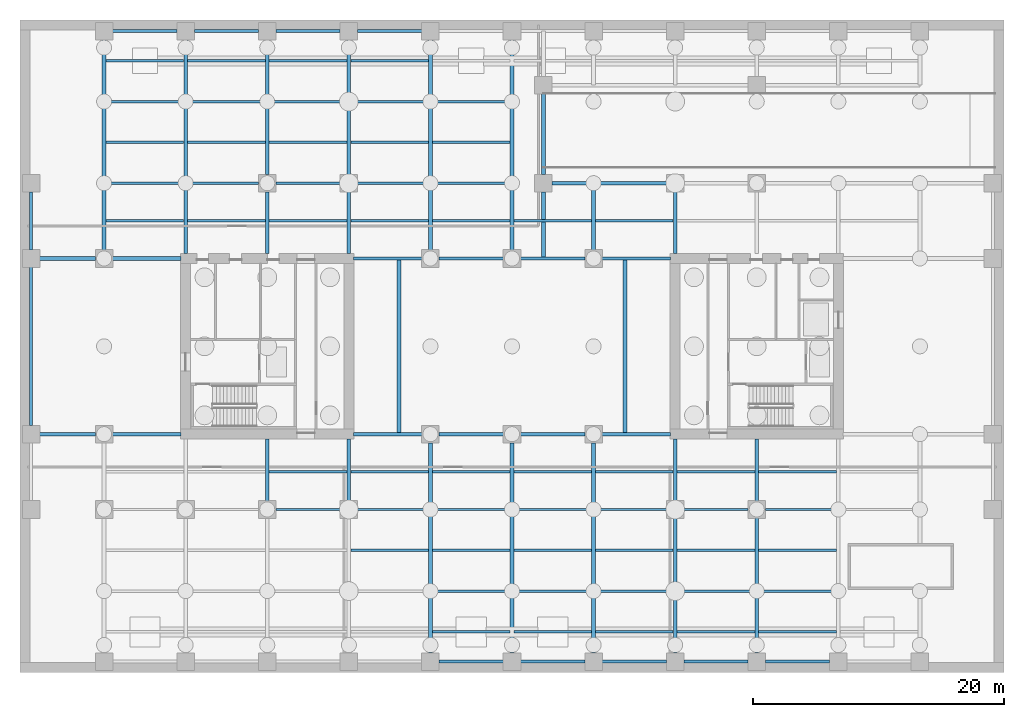
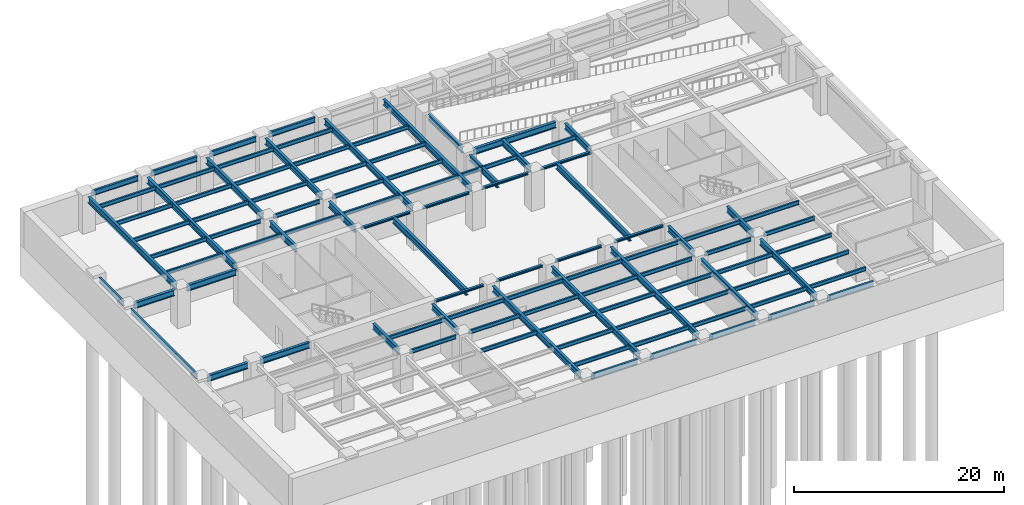
# One storey, part 2 of 11: 103 beams.
"""IFC4 building model written with IfcOpenShell, lengths in metres."""

from ifc_helpers import new_model, si_unit, direction, frame, origin, origin_2d, place, context, subcontext, project, spatial, i_section, extrude, material, material_profile, profile_set, type_object, element, save


model = new_model("IFC4")

# Units and contexts
model_context = context("Model", 3, precision=1e-05, world=origin(), true_north=direction((0.0, 1.0)))
body_context = subcontext(model_context, "Body", "Model", "MODEL_VIEW")
ifc_project = project(units=[si_unit("LENGTHUNIT", "METRE"), si_unit("AREAUNIT", "SQUARE_METRE"), si_unit("VOLUMEUNIT", "CUBIC_METRE"), si_unit("PLANEANGLEUNIT", "RADIAN"), si_unit("MASSUNIT", "GRAM", prefix="KILO")], contexts=[model_context])

# Site, building, storey
site_placement = place(None, origin())
site = spatial("IfcSite", under=ifc_project, at=site_placement, CompositionType="ELEMENT")
building_placement = place(site_placement, origin())
building = spatial("IfcBuilding", under=site, at=building_placement, Name="Putna Gate Headquarters", CompositionType="ELEMENT")
storey_placement = place(building_placement, frame((0.0, 0.0, -13.5)))
storey = spatial("IfcBuildingStorey", under=building, at=storey_placement, Name="B03", CompositionType="ELEMENT", Elevation=-13.5)

# Beams
ifc_material = material(Name="Steel S355J2", Category="steel")
ifc_material_profile_1 = material_profile(ifc_material, i_section(OverallWidth=0.260009765625, OverallDepth=0.260009765625, WebThickness=0.010009765625, FlangeThickness=0.017578125, at=origin_2d()), Name="Steel S355J2")
ifc_profile_set_1 = profile_set([ifc_material_profile_1], Name="Steel S355J2")
beam_type_1 = type_object("IfcBeamType", Name="BM-ATRIUM-HEB260", PredefinedType="BEAM", material=ifc_profile_set_1)
beam_1_placement = place(storey_placement, frame((26.385009765625, 19.0, 4.070068359375), z_axis=(1.0, 0.0, 0.0), x_axis=(0.0, 1.0, 0.0)))
element("IfcBeam", 1, at=beam_1_placement, inside=storey, type_object=beam_type_1, Name="B03 Atrium Edge Beam AS1", PredefinedType="BEAM", context=body_context, shape_type="SweptSolid", body=[
    extrude(i_section(OverallWidth=0.260009765625, OverallDepth=0.260009765625, WebThickness=0.010009765625, FlangeThickness=0.017578125, at=origin_2d()), origin(), (0.0, 0.0, 1.0), 5.427001953125),
])
for number, where, z_axis, x_axis, name in (
    (2, (33.18798828125, 19.0, 4.070068359375), (1.0, 0.0, 0.0), (0.0, 1.0, 0.0), "B03 Atrium Edge Beam AS2"),
    (3, (39.68798828125, 19.0, 4.070068359375), (1.0, 0.0, 0.0), (0.0, 1.0, 0.0), "B03 Atrium Edge Beam AS3"),
):
    element("IfcBeam", number, at=place(storey_placement, frame(where, z_axis=z_axis, x_axis=x_axis)), inside=storey, type_object=beam_type_1, Name=name, PredefinedType="BEAM", context=body_context, shape_type="SweptSolid", body=[
        extrude(i_section(OverallWidth=0.260009765625, OverallDepth=0.260009765625, WebThickness=0.010009765625, FlangeThickness=0.017578125, at=origin_2d()), origin(), (0.0, 0.0, 1.0), 5.1240234375),
    ])
for number, where, z_axis, x_axis, name in (
    (4, (46.18798828125, 19.0, 4.070068359375), (1.0, 0.0, 0.0), (0.0, 1.0, 0.0), "B03 Atrium Edge Beam AS4"),
    (5, (26.385009765625, 33.0, 4.070068359375), (1.0, 0.0, 0.0), (0.0, 1.0, 0.0), "B03 Atrium Edge Beam AN1"),
):
    element("IfcBeam", number, at=place(storey_placement, frame(where, z_axis=z_axis, x_axis=x_axis)), inside=storey, type_object=beam_type_1, Name=name, PredefinedType="BEAM", context=body_context, shape_type="SweptSolid", body=[
        extrude(i_section(OverallWidth=0.260009765625, OverallDepth=0.260009765625, WebThickness=0.010009765625, FlangeThickness=0.017578125, at=origin_2d()), origin(), (0.0, 0.0, 1.0), 5.427001953125),
    ])
for number, where, z_axis, x_axis, name in (
    (6, (33.18798828125, 33.0, 4.070068359375), (1.0, 0.0, 0.0), (0.0, 1.0, 0.0), "B03 Atrium Edge Beam AN2"),
    (7, (39.68798828125, 33.0, 4.070068359375), (1.0, 0.0, 0.0), (0.0, 1.0, 0.0), "B03 Atrium Edge Beam AN3"),
):
    element("IfcBeam", number, at=place(storey_placement, frame(where, z_axis=z_axis, x_axis=x_axis)), inside=storey, type_object=beam_type_1, Name=name, PredefinedType="BEAM", context=body_context, shape_type="SweptSolid", body=[
        extrude(i_section(OverallWidth=0.260009765625, OverallDepth=0.260009765625, WebThickness=0.010009765625, FlangeThickness=0.017578125, at=origin_2d()), origin(), (0.0, 0.0, 1.0), 5.1240234375),
    ])
beam_2_placement = place(storey_placement, frame((46.18798828125, 33.0, 4.070068359375), z_axis=(1.0, 0.0, 0.0), x_axis=(0.0, 1.0, 0.0)))
element("IfcBeam", 8, at=beam_2_placement, inside=storey, type_object=beam_type_1, Name="B03 Atrium Edge Beam AN4", PredefinedType="BEAM", context=body_context, shape_type="SweptSolid", body=[
    extrude(i_section(OverallWidth=0.260009765625, OverallDepth=0.260009765625, WebThickness=0.010009765625, FlangeThickness=0.017578125, at=origin_2d()), origin(), (0.0, 0.0, 1.0), 5.427001953125),
])
ifc_material_profile_2 = material_profile(ifc_material, i_section(OverallWidth=0.300048828125, OverallDepth=0.699951171875, WebThickness=0.01708984375, FlangeThickness=0.031982421875, at=origin_2d()), Name="Steel S355J2")
ifc_profile_set_2 = profile_set([ifc_material_profile_2], Name="Steel S355J2")
beam_type_2 = type_object("IfcBeamType", Name="BM-GIRD-B-HEB700", PredefinedType="USERDEFINED", material=ifc_profile_set_2)
beam_3_placement = place(storey_placement, frame((1.367919921875, 19.0, 3.85009765625), z_axis=(1.0, 0.0, 0.0), x_axis=(0.0, 1.0, 0.0)))
element("IfcBeam", 9, at=beam_3_placement, inside=storey, type_object=beam_type_2, Name="B03 West Wing Girder Y19-1", ObjectType="GIRDER", PredefinedType="USERDEFINED", context=body_context, shape_type="SweptSolid", body=[
    extrude(i_section(OverallWidth=0.300048828125, OverallDepth=0.699951171875, WebThickness=0.01708984375, FlangeThickness=0.031982421875, at=origin_2d()), origin(), (0.0, 0.0, 1.0), 4.444091796875),
])
beam_4_placement = place(storey_placement, frame((7.18798828125, 19.0, 3.85009765625), z_axis=(1.0, 0.0, 0.0), x_axis=(0.0, 1.0, 0.0)))
element("IfcBeam", 10, at=beam_4_placement, inside=storey, type_object=beam_type_2, Name="B03 West Wing Girder Y19-2", ObjectType="GIRDER", PredefinedType="USERDEFINED", context=body_context, shape_type="SweptSolid", body=[
    extrude(i_section(OverallWidth=0.300048828125, OverallDepth=0.699951171875, WebThickness=0.01708984375, FlangeThickness=0.031982421875, at=origin_2d()), origin(), (0.0, 0.0, 1.0), 5.427001953125),
])
beam_5_placement = place(storey_placement, frame((1.367919921875, 33.0, 3.85009765625), z_axis=(1.0, 0.0, 0.0), x_axis=(0.0, 1.0, 0.0)))
element("IfcBeam", 11, at=beam_5_placement, inside=storey, type_object=beam_type_2, Name="B03 West Wing Girder Y33-1", ObjectType="GIRDER", PredefinedType="USERDEFINED", context=body_context, shape_type="SweptSolid", body=[
    extrude(i_section(OverallWidth=0.300048828125, OverallDepth=0.699951171875, WebThickness=0.01708984375, FlangeThickness=0.031982421875, at=origin_2d()), origin(), (0.0, 0.0, 1.0), 4.444091796875),
])
beam_6_placement = place(storey_placement, frame((7.18798828125, 33.0, 3.85009765625), z_axis=(1.0, 0.0, 0.0), x_axis=(0.0, 1.0, 0.0)))
element("IfcBeam", 12, at=beam_6_placement, inside=storey, type_object=beam_type_2, Name="B03 West Wing Girder Y33-2", ObjectType="GIRDER", PredefinedType="USERDEFINED", context=body_context, shape_type="SweptSolid", body=[
    extrude(i_section(OverallWidth=0.300048828125, OverallDepth=0.699951171875, WebThickness=0.01708984375, FlangeThickness=0.031982421875, at=origin_2d()), origin(), (0.0, 0.0, 1.0), 5.427001953125),
])
beam_7_placement = place(storey_placement, frame((41.5, 33.011962890625, 3.85009765625), z_axis=(0.0, 1.0, 0.0), x_axis=(-1.0, 0.0, 0.0)))
element("IfcBeam", 13, at=beam_7_placement, inside=storey, type_object=beam_type_2, Name="B03 Ramp Well Trimmer Girder W", ObjectType="GIRDER", PredefinedType="USERDEFINED", context=body_context, shape_type="SweptSolid", body=[
    extrude(i_section(OverallWidth=0.300048828125, OverallDepth=0.699951171875, WebThickness=0.01708984375, FlangeThickness=0.031982421875, at=origin_2d()), origin(), (0.0, 0.0, 1.0), 5.300048828125),
])
beam_8_placement = place(storey_placement, frame((41.5, 39.68798828125, 3.85009765625), z_axis=(0.0, 1.0, 0.0), x_axis=(-1.0, 0.0, 0.0)))
element("IfcBeam", 14, at=beam_8_placement, inside=storey, type_object=beam_type_2, Name="B03 Ramp Well Trimmer Girder WM", ObjectType="GIRDER", PredefinedType="USERDEFINED", context=body_context, shape_type="SweptSolid", body=[
    extrude(i_section(OverallWidth=0.300048828125, OverallDepth=0.699951171875, WebThickness=0.01708984375, FlangeThickness=0.031982421875, at=origin_2d()), origin(), (0.0, 0.0, 1.0), 6.424072265625),
])
beam_9_placement = place(storey_placement, frame((42.18798828125, 39.0, 3.85009765625), z_axis=(1.0, 0.0, 0.0), x_axis=(0.0, 1.0, 0.0)))
element("IfcBeam", 15, at=beam_9_placement, inside=storey, type_object=beam_type_2, Name="B03 Ramp Well Trimmer Girder S1", ObjectType="GIRDER", PredefinedType="USERDEFINED", context=body_context, shape_type="SweptSolid", body=[
    extrude(i_section(OverallWidth=0.300048828125, OverallDepth=0.699951171875, WebThickness=0.01708984375, FlangeThickness=0.031982421875, at=origin_2d()), origin(), (0.0, 0.0, 1.0), 9.1240234375),
])
beam_10_placement = place(storey_placement, frame((6.5, 33.68798828125, 3.85009765625), z_axis=(0.0, 1.0, 0.0), x_axis=(-1.0, 0.0, 0.0)))
element("IfcBeam", 16, at=beam_10_placement, inside=storey, type_object=beam_type_2, Name="B03 North Primary Girder X6", ObjectType="GIRDER", PredefinedType="USERDEFINED", context=body_context, shape_type="SweptSolid", body=[
    extrude(i_section(OverallWidth=0.300048828125, OverallDepth=0.699951171875, WebThickness=0.01708984375, FlangeThickness=0.031982421875, at=origin_2d()), origin(), (0.0, 0.0, 1.0), 16.743896484375),
])
beam_11_placement = place(storey_placement, frame((13.0, 33.385009765625, 3.85009765625), z_axis=(0.0, 1.0, 0.0), x_axis=(-1.0, 0.0, 0.0)))
element("IfcBeam", 17, at=beam_11_placement, inside=storey, type_object=beam_type_2, Name="B03 North Primary Girder X13", ObjectType="GIRDER", PredefinedType="USERDEFINED", context=body_context, shape_type="SweptSolid", body=[
    extrude(i_section(OverallWidth=0.300048828125, OverallDepth=0.699951171875, WebThickness=0.01708984375, FlangeThickness=0.031982421875, at=origin_2d()), origin(), (0.0, 0.0, 1.0), 17.046875),
])
for number, where, z_axis, x_axis, name in (
    (18, (19.5, 13.68798828125, 3.85009765625), (0.0, 1.0, 0.0), (-1.0, 0.0, 0.0), "B03 South Primary Girder X19-2"),
    (19, (19.5, 33.385009765625, 3.85009765625), (0.0, 1.0, 0.0), (-1.0, 0.0, 0.0), "B03 North Primary Girder X19-1"),
):
    element("IfcBeam", number, at=place(storey_placement, frame(where, z_axis=z_axis, x_axis=x_axis)), inside=storey, type_object=beam_type_2, Name=name, ObjectType="GIRDER", PredefinedType="USERDEFINED", context=body_context, shape_type="SweptSolid", body=[
        extrude(i_section(OverallWidth=0.300048828125, OverallDepth=0.699951171875, WebThickness=0.01708984375, FlangeThickness=0.031982421875, at=origin_2d()), origin(), (0.0, 0.0, 1.0), 4.927001953125),
    ])
beam_12_placement = place(storey_placement, frame((19.5, 39.68798828125, 3.85009765625), z_axis=(0.0, 1.0, 0.0), x_axis=(-1.0, 0.0, 0.0)))
element("IfcBeam", 20, at=beam_12_placement, inside=storey, type_object=beam_type_2, Name="B03 North Primary Girder X19-2", ObjectType="GIRDER", PredefinedType="USERDEFINED", context=body_context, shape_type="SweptSolid", body=[
    extrude(i_section(OverallWidth=0.300048828125, OverallDepth=0.699951171875, WebThickness=0.01708984375, FlangeThickness=0.031982421875, at=origin_2d()), origin(), (0.0, 0.0, 1.0), 10.743896484375),
])
for number, where, z_axis, x_axis, name in (
    (21, (26.0, 13.68798828125, 3.85009765625), (0.0, 1.0, 0.0), (-1.0, 0.0, 0.0), "B03 South Primary Girder X26-2"),
    (22, (26.0, 33.385009765625, 3.85009765625), (0.0, 1.0, 0.0), (-1.0, 0.0, 0.0), "B03 North Primary Girder X26-1"),
):
    element("IfcBeam", number, at=place(storey_placement, frame(where, z_axis=z_axis, x_axis=x_axis)), inside=storey, type_object=beam_type_2, Name=name, ObjectType="GIRDER", PredefinedType="USERDEFINED", context=body_context, shape_type="SweptSolid", body=[
        extrude(i_section(OverallWidth=0.300048828125, OverallDepth=0.699951171875, WebThickness=0.01708984375, FlangeThickness=0.031982421875, at=origin_2d()), origin(), (0.0, 0.0, 1.0), 4.927001953125),
    ])
beam_13_placement = place(storey_placement, frame((26.0, 39.68798828125, 3.85009765625), z_axis=(0.0, 1.0, 0.0), x_axis=(-1.0, 0.0, 0.0)))
element("IfcBeam", 23, at=beam_13_placement, inside=storey, type_object=beam_type_2, Name="B03 North Primary Girder X26-2", ObjectType="GIRDER", PredefinedType="USERDEFINED", context=body_context, shape_type="SweptSolid", body=[
    extrude(i_section(OverallWidth=0.300048828125, OverallDepth=0.699951171875, WebThickness=0.01708984375, FlangeThickness=0.031982421875, at=origin_2d()), origin(), (0.0, 0.0, 1.0), 10.743896484375),
])
for number, where, z_axis, x_axis, name in (
    (24, (32.5, 1.568115234375, 3.85009765625), (0.0, 1.0, 0.0), (-1.0, 0.0, 0.0), "B03 South Primary Girder X32"),
    (25, (32.5, 33.68798828125, 3.85009765625), (0.0, 1.0, 0.0), (-1.0, 0.0, 0.0), "B03 North Primary Girder X32"),
    (26, (39.0, 1.568115234375, 3.85009765625), (0.0, 1.0, 0.0), (-1.0, 0.0, 0.0), "B03 South Primary Girder X39"),
    (27, (39.0, 33.68798828125, 3.85009765625), (0.0, 1.0, 0.0), (-1.0, 0.0, 0.0), "B03 North Primary Girder X39"),
    (28, (45.5, 1.568115234375, 3.85009765625), (0.0, 1.0, 0.0), (-1.0, 0.0, 0.0), "B03 South Primary Girder X45"),
):
    element("IfcBeam", number, at=place(storey_placement, frame(where, z_axis=z_axis, x_axis=x_axis)), inside=storey, type_object=beam_type_2, Name=name, ObjectType="GIRDER", PredefinedType="USERDEFINED", context=body_context, shape_type="SweptSolid", body=[
        extrude(i_section(OverallWidth=0.300048828125, OverallDepth=0.699951171875, WebThickness=0.01708984375, FlangeThickness=0.031982421875, at=origin_2d()), origin(), (0.0, 0.0, 1.0), 16.743896484375),
    ])
beam_14_placement = place(storey_placement, frame((45.5, 33.68798828125, 3.85009765625), z_axis=(0.0, 1.0, 0.0), x_axis=(-1.0, 0.0, 0.0)))
element("IfcBeam", 29, at=beam_14_placement, inside=storey, type_object=beam_type_2, Name="B03 North Girder X45-1", ObjectType="GIRDER", PredefinedType="USERDEFINED", context=body_context, shape_type="SweptSolid", body=[
    extrude(i_section(OverallWidth=0.300048828125, OverallDepth=0.699951171875, WebThickness=0.01708984375, FlangeThickness=0.031982421875, at=origin_2d()), origin(), (0.0, 0.0, 1.0), 5.300048828125),
])
beam_15_placement = place(storey_placement, frame((52.0, 1.568115234375, 3.85009765625), z_axis=(0.0, 1.0, 0.0), x_axis=(-1.0, 0.0, 0.0)))
element("IfcBeam", 30, at=beam_15_placement, inside=storey, type_object=beam_type_2, Name="B03 South Primary Girder X52-1", ObjectType="GIRDER", PredefinedType="USERDEFINED", context=body_context, shape_type="SweptSolid", body=[
    extrude(i_section(OverallWidth=0.300048828125, OverallDepth=0.699951171875, WebThickness=0.01708984375, FlangeThickness=0.031982421875, at=origin_2d()), origin(), (0.0, 0.0, 1.0), 10.743896484375),
])
for number, where, z_axis, x_axis, name in (
    (31, (52.0, 13.68798828125, 3.85009765625), (0.0, 1.0, 0.0), (-1.0, 0.0, 0.0), "B03 South Primary Girder X52-2"),
    (32, (52.0, 33.385009765625, 3.85009765625), (0.0, 1.0, 0.0), (-1.0, 0.0, 0.0), "B03 North Girder X52-1"),
):
    element("IfcBeam", number, at=place(storey_placement, frame(where, z_axis=z_axis, x_axis=x_axis)), inside=storey, type_object=beam_type_2, Name=name, ObjectType="GIRDER", PredefinedType="USERDEFINED", context=body_context, shape_type="SweptSolid", body=[
        extrude(i_section(OverallWidth=0.300048828125, OverallDepth=0.699951171875, WebThickness=0.01708984375, FlangeThickness=0.031982421875, at=origin_2d()), origin(), (0.0, 0.0, 1.0), 4.927001953125),
    ])
beam_16_placement = place(storey_placement, frame((58.5, 1.568115234375, 3.85009765625), z_axis=(0.0, 1.0, 0.0), x_axis=(-1.0, 0.0, 0.0)))
element("IfcBeam", 33, at=beam_16_placement, inside=storey, type_object=beam_type_2, Name="B03 South Primary Girder X58-1", ObjectType="GIRDER", PredefinedType="USERDEFINED", context=body_context, shape_type="SweptSolid", body=[
    extrude(i_section(OverallWidth=0.300048828125, OverallDepth=0.699951171875, WebThickness=0.01708984375, FlangeThickness=0.031982421875, at=origin_2d()), origin(), (0.0, 0.0, 1.0), 10.743896484375),
])
beam_17_placement = place(storey_placement, frame((58.5, 13.68798828125, 3.85009765625), z_axis=(0.0, 1.0, 0.0), x_axis=(-1.0, 0.0, 0.0)))
element("IfcBeam", 34, at=beam_17_placement, inside=storey, type_object=beam_type_2, Name="B03 South Primary Girder X58-2", ObjectType="GIRDER", PredefinedType="USERDEFINED", context=body_context, shape_type="SweptSolid", body=[
    extrude(i_section(OverallWidth=0.300048828125, OverallDepth=0.699951171875, WebThickness=0.01708984375, FlangeThickness=0.031982421875, at=origin_2d()), origin(), (0.0, 0.0, 1.0), 4.927001953125),
])
for number, where, z_axis, x_axis, name in (
    (35, (30.0, 19.010009765625, 3.85009765625), (0.0, 1.0, 0.0), (-1.0, 0.0, 0.0), "B03 Atrium Trim Girder AW"),
    (36, (48.0, 19.010009765625, 3.85009765625), (0.0, 1.0, 0.0), (-1.0, 0.0, 0.0), "B03 Atrium Trim Girder AE"),
):
    element("IfcBeam", number, at=place(storey_placement, frame(where, z_axis=z_axis, x_axis=x_axis)), inside=storey, type_object=beam_type_2, Name=name, ObjectType="GIRDER", PredefinedType="USERDEFINED", context=body_context, shape_type="SweptSolid", body=[
        extrude(i_section(OverallWidth=0.300048828125, OverallDepth=0.699951171875, WebThickness=0.01708984375, FlangeThickness=0.031982421875, at=origin_2d()), origin(), (0.0, 0.0, 1.0), 13.97998046875),
    ])
ifc_material_profile_3 = material_profile(ifc_material, i_section(OverallWidth=0.18994140625, OverallDepth=0.449951171875, WebThickness=0.009521484375, FlangeThickness=0.0146484375, at=origin_2d()), Name="Steel S355J2")
ifc_profile_set_3 = profile_set([ifc_material_profile_3], Name="Steel S355J2")
beam_type_3 = type_object("IfcBeamType", Name="BM-SEC-B-IPE450", PredefinedType="BEAM", material=ifc_profile_set_3)
for number, where, z_axis, x_axis, name in (
    (37, (6.654052734375, 36.0, 3.97509765625), (1.0, 0.0, 0.0), (0.0, 1.0, 0.0), "B03 North Secondary Beam 1"),
    (38, (6.654052734375, 39.0, 3.97509765625), (1.0, 0.0, 0.0), (0.0, 1.0, 0.0), "B03 North Secondary Beam 1"),
    (39, (6.654052734375, 42.25, 3.97509765625), (1.0, 0.0, 0.0), (0.0, 1.0, 0.0), "B03 North Secondary Beam 1"),
    (40, (6.654052734375, 45.5, 3.97509765625), (1.0, 0.0, 0.0), (0.0, 1.0, 0.0), "B03 North Secondary Beam 1"),
    (41, (6.654052734375, 48.75, 3.97509765625), (1.0, 0.0, 0.0), (0.0, 1.0, 0.0), "B03 North Secondary Beam 1"),
    (42, (13.154052734375, 36.0, 3.97509765625), (1.0, 0.0, 0.0), (0.0, 1.0, 0.0), "B03 North Secondary Beam 2"),
):
    element("IfcBeam", number, at=place(storey_placement, frame(where, z_axis=z_axis, x_axis=x_axis)), inside=storey, type_object=beam_type_3, Name=name, PredefinedType="BEAM", context=body_context, shape_type="SweptSolid", body=[
        extrude(i_section(OverallWidth=0.18994140625, OverallDepth=0.449951171875, WebThickness=0.009521484375, FlangeThickness=0.0146484375, at=origin_2d()), origin(), (0.0, 0.0, 1.0), 6.19189453125),
    ])
beam_18_placement = place(storey_placement, frame((13.154052734375, 39.0, 3.97509765625), z_axis=(1.0, 0.0, 0.0), x_axis=(0.0, 1.0, 0.0)))
element("IfcBeam", 43, at=beam_18_placement, inside=storey, type_object=beam_type_3, Name="B03 North Secondary Beam 2", PredefinedType="BEAM", context=body_context, shape_type="SweptSolid", body=[
    extrude(i_section(OverallWidth=0.18994140625, OverallDepth=0.449951171875, WebThickness=0.009521484375, FlangeThickness=0.0146484375, at=origin_2d()), origin(), (0.0, 0.0, 1.0), 5.657958984375),
])
for number, where, z_axis, x_axis, name in (
    (44, (13.154052734375, 42.25, 3.97509765625), (1.0, 0.0, 0.0), (0.0, 1.0, 0.0), "B03 North Secondary Beam 2"),
    (45, (13.154052734375, 45.5, 3.97509765625), (1.0, 0.0, 0.0), (0.0, 1.0, 0.0), "B03 North Secondary Beam 2"),
    (46, (13.154052734375, 48.75, 3.97509765625), (1.0, 0.0, 0.0), (0.0, 1.0, 0.0), "B03 North Secondary Beam 2"),
):
    element("IfcBeam", number, at=place(storey_placement, frame(where, z_axis=z_axis, x_axis=x_axis)), inside=storey, type_object=beam_type_3, Name=name, PredefinedType="BEAM", context=body_context, shape_type="SweptSolid", body=[
        extrude(i_section(OverallWidth=0.18994140625, OverallDepth=0.449951171875, WebThickness=0.009521484375, FlangeThickness=0.0146484375, at=origin_2d()), origin(), (0.0, 0.0, 1.0), 6.19189453125),
    ])
beam_19_placement = place(storey_placement, frame((20.18798828125, 13.0, 3.97509765625), z_axis=(1.0, 0.0, 0.0), x_axis=(0.0, 1.0, 0.0)))
element("IfcBeam", 47, at=beam_19_placement, inside=storey, type_object=beam_type_3, Name="B03 South Secondary Beam 3", PredefinedType="BEAM", context=body_context, shape_type="SweptSolid", body=[
    extrude(i_section(OverallWidth=0.18994140625, OverallDepth=0.449951171875, WebThickness=0.009521484375, FlangeThickness=0.0146484375, at=origin_2d()), origin(), (0.0, 0.0, 1.0), 5.1240234375),
])
for number, where, z_axis, x_axis, name in (
    (48, (19.654052734375, 16.0, 3.97509765625), (1.0, 0.0, 0.0), (0.0, 1.0, 0.0), "B03 South Secondary Beam 3"),
    (49, (19.654052734375, 36.0, 3.97509765625), (1.0, 0.0, 0.0), (0.0, 1.0, 0.0), "B03 North Secondary Beam 3"),
):
    element("IfcBeam", number, at=place(storey_placement, frame(where, z_axis=z_axis, x_axis=x_axis)), inside=storey, type_object=beam_type_3, Name=name, PredefinedType="BEAM", context=body_context, shape_type="SweptSolid", body=[
        extrude(i_section(OverallWidth=0.18994140625, OverallDepth=0.449951171875, WebThickness=0.009521484375, FlangeThickness=0.0146484375, at=origin_2d()), origin(), (0.0, 0.0, 1.0), 6.19189453125),
    ])
beam_20_placement = place(storey_placement, frame((20.18798828125, 39.0, 3.97509765625), z_axis=(1.0, 0.0, 0.0), x_axis=(0.0, 1.0, 0.0)))
element("IfcBeam", 50, at=beam_20_placement, inside=storey, type_object=beam_type_3, Name="B03 North Secondary Beam 3", PredefinedType="BEAM", context=body_context, shape_type="SweptSolid", body=[
    extrude(i_section(OverallWidth=0.18994140625, OverallDepth=0.449951171875, WebThickness=0.009521484375, FlangeThickness=0.0146484375, at=origin_2d()), origin(), (0.0, 0.0, 1.0), 5.1240234375),
])
for number, where, z_axis, x_axis, name in (
    (51, (19.654052734375, 42.25, 3.97509765625), (1.0, 0.0, 0.0), (0.0, 1.0, 0.0), "B03 North Secondary Beam 3"),
    (52, (19.654052734375, 45.5, 3.97509765625), (1.0, 0.0, 0.0), (0.0, 1.0, 0.0), "B03 North Secondary Beam 3"),
    (53, (19.654052734375, 48.75, 3.97509765625), (1.0, 0.0, 0.0), (0.0, 1.0, 0.0), "B03 North Secondary Beam 3"),
    (54, (26.154052734375, 9.75, 3.97509765625), (1.0, 0.0, 0.0), (0.0, 1.0, 0.0), "B03 South Secondary Beam 4"),
):
    element("IfcBeam", number, at=place(storey_placement, frame(where, z_axis=z_axis, x_axis=x_axis)), inside=storey, type_object=beam_type_3, Name=name, PredefinedType="BEAM", context=body_context, shape_type="SweptSolid", body=[
        extrude(i_section(OverallWidth=0.18994140625, OverallDepth=0.449951171875, WebThickness=0.009521484375, FlangeThickness=0.0146484375, at=origin_2d()), origin(), (0.0, 0.0, 1.0), 6.19189453125),
    ])
beam_21_placement = place(storey_placement, frame((26.68798828125, 13.0, 3.97509765625), z_axis=(1.0, 0.0, 0.0), x_axis=(0.0, 1.0, 0.0)))
element("IfcBeam", 55, at=beam_21_placement, inside=storey, type_object=beam_type_3, Name="B03 South Secondary Beam 4", PredefinedType="BEAM", context=body_context, shape_type="SweptSolid", body=[
    extrude(i_section(OverallWidth=0.18994140625, OverallDepth=0.449951171875, WebThickness=0.009521484375, FlangeThickness=0.0146484375, at=origin_2d()), origin(), (0.0, 0.0, 1.0), 5.657958984375),
])
for number, where, z_axis, x_axis, name in (
    (56, (26.154052734375, 16.0, 3.97509765625), (1.0, 0.0, 0.0), (0.0, 1.0, 0.0), "B03 South Secondary Beam 4"),
    (57, (26.154052734375, 36.0, 3.97509765625), (1.0, 0.0, 0.0), (0.0, 1.0, 0.0), "B03 North Secondary Beam 4"),
):
    element("IfcBeam", number, at=place(storey_placement, frame(where, z_axis=z_axis, x_axis=x_axis)), inside=storey, type_object=beam_type_3, Name=name, PredefinedType="BEAM", context=body_context, shape_type="SweptSolid", body=[
        extrude(i_section(OverallWidth=0.18994140625, OverallDepth=0.449951171875, WebThickness=0.009521484375, FlangeThickness=0.0146484375, at=origin_2d()), origin(), (0.0, 0.0, 1.0), 6.19189453125),
    ])
beam_22_placement = place(storey_placement, frame((26.68798828125, 39.0, 3.97509765625), z_axis=(1.0, 0.0, 0.0), x_axis=(0.0, 1.0, 0.0)))
element("IfcBeam", 58, at=beam_22_placement, inside=storey, type_object=beam_type_3, Name="B03 North Secondary Beam 4", PredefinedType="BEAM", context=body_context, shape_type="SweptSolid", body=[
    extrude(i_section(OverallWidth=0.18994140625, OverallDepth=0.449951171875, WebThickness=0.009521484375, FlangeThickness=0.0146484375, at=origin_2d()), origin(), (0.0, 0.0, 1.0), 5.657958984375),
])
for number, where, z_axis, x_axis, name in (
    (59, (26.154052734375, 42.25, 3.97509765625), (1.0, 0.0, 0.0), (0.0, 1.0, 0.0), "B03 North Secondary Beam 4"),
    (60, (26.154052734375, 45.5, 3.97509765625), (1.0, 0.0, 0.0), (0.0, 1.0, 0.0), "B03 North Secondary Beam 4"),
    (61, (26.154052734375, 48.75, 3.97509765625), (1.0, 0.0, 0.0), (0.0, 1.0, 0.0), "B03 North Secondary Beam 4"),
    (62, (32.654052734375, 3.25, 3.97509765625), (1.0, 0.0, 0.0), (0.0, 1.0, 0.0), "B03 South Secondary Beam 5"),
    (63, (32.654052734375, 6.5, 3.97509765625), (1.0, 0.0, 0.0), (0.0, 1.0, 0.0), "B03 South Secondary Beam 5"),
    (64, (32.654052734375, 9.75, 3.97509765625), (1.0, 0.0, 0.0), (0.0, 1.0, 0.0), "B03 South Secondary Beam 5"),
    (65, (32.654052734375, 13.0, 3.97509765625), (1.0, 0.0, 0.0), (0.0, 1.0, 0.0), "B03 South Secondary Beam 5"),
    (66, (32.654052734375, 16.0, 3.97509765625), (1.0, 0.0, 0.0), (0.0, 1.0, 0.0), "B03 South Secondary Beam 5"),
    (67, (32.654052734375, 36.0, 3.97509765625), (1.0, 0.0, 0.0), (0.0, 1.0, 0.0), "B03 North Secondary Beam 5"),
    (68, (32.654052734375, 39.0, 3.97509765625), (1.0, 0.0, 0.0), (0.0, 1.0, 0.0), "B03 North Secondary Beam 5"),
    (69, (32.654052734375, 42.25, 3.97509765625), (1.0, 0.0, 0.0), (0.0, 1.0, 0.0), "B03 North Secondary Beam 5"),
    (70, (32.654052734375, 45.5, 3.97509765625), (1.0, 0.0, 0.0), (0.0, 1.0, 0.0), "B03 North Secondary Beam 5"),
    (71, (39.154052734375, 3.25, 3.97509765625), (1.0, 0.0, 0.0), (0.0, 1.0, 0.0), "B03 South Secondary Beam 6"),
    (72, (39.154052734375, 6.5, 3.97509765625), (1.0, 0.0, 0.0), (0.0, 1.0, 0.0), "B03 South Secondary Beam 6"),
    (73, (39.154052734375, 9.75, 3.97509765625), (1.0, 0.0, 0.0), (0.0, 1.0, 0.0), "B03 South Secondary Beam 6"),
    (74, (39.154052734375, 13.0, 3.97509765625), (1.0, 0.0, 0.0), (0.0, 1.0, 0.0), "B03 South Secondary Beam 6"),
    (75, (39.154052734375, 16.0, 3.97509765625), (1.0, 0.0, 0.0), (0.0, 1.0, 0.0), "B03 South Secondary Beam 6"),
    (76, (39.154052734375, 36.0, 3.97509765625), (1.0, 0.0, 0.0), (0.0, 1.0, 0.0), "B03 North Secondary Beam 6"),
    (77, (45.654052734375, 3.25, 3.97509765625), (1.0, 0.0, 0.0), (0.0, 1.0, 0.0), "B03 South Secondary Beam 7"),
    (78, (45.654052734375, 6.5, 3.97509765625), (1.0, 0.0, 0.0), (0.0, 1.0, 0.0), "B03 South Secondary Beam 7"),
    (79, (45.654052734375, 9.75, 3.97509765625), (1.0, 0.0, 0.0), (0.0, 1.0, 0.0), "B03 South Secondary Beam 7"),
):
    element("IfcBeam", number, at=place(storey_placement, frame(where, z_axis=z_axis, x_axis=x_axis)), inside=storey, type_object=beam_type_3, Name=name, PredefinedType="BEAM", context=body_context, shape_type="SweptSolid", body=[
        extrude(i_section(OverallWidth=0.18994140625, OverallDepth=0.449951171875, WebThickness=0.009521484375, FlangeThickness=0.0146484375, at=origin_2d()), origin(), (0.0, 0.0, 1.0), 6.19189453125),
    ])
beam_23_placement = place(storey_placement, frame((45.654052734375, 13.0, 3.97509765625), z_axis=(1.0, 0.0, 0.0), x_axis=(0.0, 1.0, 0.0)))
element("IfcBeam", 80, at=beam_23_placement, inside=storey, type_object=beam_type_3, Name="B03 South Secondary Beam 7", PredefinedType="BEAM", context=body_context, shape_type="SweptSolid", body=[
    extrude(i_section(OverallWidth=0.18994140625, OverallDepth=0.449951171875, WebThickness=0.009521484375, FlangeThickness=0.0146484375, at=origin_2d()), origin(), (0.0, 0.0, 1.0), 5.657958984375),
])
for number, where, z_axis, x_axis, name in (
    (81, (45.654052734375, 16.0, 3.97509765625), (1.0, 0.0, 0.0), (0.0, 1.0, 0.0), "B03 South Secondary Beam 7"),
    (82, (45.654052734375, 36.0, 3.97509765625), (1.0, 0.0, 0.0), (0.0, 1.0, 0.0), "B03 North Secondary Beam 7"),
    (83, (52.154052734375, 3.25, 3.97509765625), (1.0, 0.0, 0.0), (0.0, 1.0, 0.0), "B03 South Secondary Beam 8"),
    (84, (52.154052734375, 6.5, 3.97509765625), (1.0, 0.0, 0.0), (0.0, 1.0, 0.0), "B03 South Secondary Beam 8"),
    (85, (52.154052734375, 9.75, 3.97509765625), (1.0, 0.0, 0.0), (0.0, 1.0, 0.0), "B03 South Secondary Beam 8"),
):
    element("IfcBeam", number, at=place(storey_placement, frame(where, z_axis=z_axis, x_axis=x_axis)), inside=storey, type_object=beam_type_3, Name=name, PredefinedType="BEAM", context=body_context, shape_type="SweptSolid", body=[
        extrude(i_section(OverallWidth=0.18994140625, OverallDepth=0.449951171875, WebThickness=0.009521484375, FlangeThickness=0.0146484375, at=origin_2d()), origin(), (0.0, 0.0, 1.0), 6.19189453125),
    ])
beam_24_placement = place(storey_placement, frame((52.68798828125, 13.0, 3.97509765625), z_axis=(1.0, 0.0, 0.0), x_axis=(0.0, 1.0, 0.0)))
element("IfcBeam", 86, at=beam_24_placement, inside=storey, type_object=beam_type_3, Name="B03 South Secondary Beam 8", PredefinedType="BEAM", context=body_context, shape_type="SweptSolid", body=[
    extrude(i_section(OverallWidth=0.18994140625, OverallDepth=0.449951171875, WebThickness=0.009521484375, FlangeThickness=0.0146484375, at=origin_2d()), origin(), (0.0, 0.0, 1.0), 5.1240234375),
])
for number, where, z_axis, x_axis, name in (
    (87, (52.154052734375, 16.0, 3.97509765625), (1.0, 0.0, 0.0), (0.0, 1.0, 0.0), "B03 South Secondary Beam 8"),
    (88, (58.654052734375, 3.25, 3.97509765625), (1.0, 0.0, 0.0), (0.0, 1.0, 0.0), "B03 South Secondary Beam 9"),
    (89, (58.654052734375, 6.5, 3.97509765625), (1.0, 0.0, 0.0), (0.0, 1.0, 0.0), "B03 South Secondary Beam 9"),
    (90, (58.654052734375, 9.75, 3.97509765625), (1.0, 0.0, 0.0), (0.0, 1.0, 0.0), "B03 South Secondary Beam 9"),
):
    element("IfcBeam", number, at=place(storey_placement, frame(where, z_axis=z_axis, x_axis=x_axis)), inside=storey, type_object=beam_type_3, Name=name, PredefinedType="BEAM", context=body_context, shape_type="SweptSolid", body=[
        extrude(i_section(OverallWidth=0.18994140625, OverallDepth=0.449951171875, WebThickness=0.009521484375, FlangeThickness=0.0146484375, at=origin_2d()), origin(), (0.0, 0.0, 1.0), 6.19189453125),
    ])
beam_25_placement = place(storey_placement, frame((59.18798828125, 13.0, 3.97509765625), z_axis=(1.0, 0.0, 0.0), x_axis=(0.0, 1.0, 0.0)))
element("IfcBeam", 91, at=beam_25_placement, inside=storey, type_object=beam_type_3, Name="B03 South Secondary Beam 9", PredefinedType="BEAM", context=body_context, shape_type="SweptSolid", body=[
    extrude(i_section(OverallWidth=0.18994140625, OverallDepth=0.449951171875, WebThickness=0.009521484375, FlangeThickness=0.0146484375, at=origin_2d()), origin(), (0.0, 0.0, 1.0), 5.657958984375),
])
beam_26_placement = place(storey_placement, frame((58.654052734375, 16.0, 3.97509765625), z_axis=(1.0, 0.0, 0.0), x_axis=(0.0, 1.0, 0.0)))
element("IfcBeam", 92, at=beam_26_placement, inside=storey, type_object=beam_type_3, Name="B03 South Secondary Beam 9", PredefinedType="BEAM", context=body_context, shape_type="SweptSolid", body=[
    extrude(i_section(OverallWidth=0.18994140625, OverallDepth=0.449951171875, WebThickness=0.009521484375, FlangeThickness=0.0146484375, at=origin_2d()), origin(), (0.0, 0.0, 1.0), 6.19189453125),
])
ifc_material_profile_4 = material_profile(ifc_material, i_section(OverallWidth=0.219970703125, OverallDepth=0.60009765625, WebThickness=0.011962890625, FlangeThickness=0.01904296875, at=origin_2d()), Name="Steel S355J2")
ifc_profile_set_4 = profile_set([ifc_material_profile_4], Name="Steel S355J2")
beam_type_4 = type_object("IfcBeamType", Name="BM-SPAN-B-IPE600", PredefinedType="SPANDREL", material=ifc_profile_set_4)
for number, where, z_axis, x_axis, name in (
    (93, (33.18798828125, 0.8798828125, 3.89990234375), (1.0, 0.0, 0.0), (0.0, 1.0, 0.0), "B03 S Perimeter Spandrel 5"),
    (94, (39.68798828125, 0.8798828125, 3.89990234375), (1.0, 0.0, 0.0), (0.0, 1.0, 0.0), "B03 S Perimeter Spandrel 6"),
    (95, (46.18798828125, 0.8798828125, 3.89990234375), (1.0, 0.0, 0.0), (0.0, 1.0, 0.0), "B03 S Perimeter Spandrel 7"),
    (96, (52.68798828125, 0.8798828125, 3.89990234375), (1.0, 0.0, 0.0), (0.0, 1.0, 0.0), "B03 S Perimeter Spandrel 8"),
    (97, (59.18798828125, 0.8798828125, 3.89990234375), (1.0, 0.0, 0.0), (0.0, 1.0, 0.0), "B03 S Perimeter Spandrel 9"),
    (98, (7.18798828125, 51.1201171875, 3.89990234375), (1.0, 0.0, 0.0), (0.0, 1.0, 0.0), "B03 N Perimeter Spandrel 1"),
    (99, (13.68798828125, 51.1201171875, 3.89990234375), (1.0, 0.0, 0.0), (0.0, 1.0, 0.0), "B03 N Perimeter Spandrel 2"),
    (100, (20.18798828125, 51.1201171875, 3.89990234375), (1.0, 0.0, 0.0), (0.0, 1.0, 0.0), "B03 N Perimeter Spandrel 3"),
    (101, (26.68798828125, 51.1201171875, 3.89990234375), (1.0, 0.0, 0.0), (0.0, 1.0, 0.0), "B03 N Perimeter Spandrel 4"),
):
    element("IfcBeam", number, at=place(storey_placement, frame(where, z_axis=z_axis, x_axis=x_axis)), inside=storey, type_object=beam_type_4, Name=name, PredefinedType="SPANDREL", context=body_context, shape_type="SweptSolid", body=[
        extrude(i_section(OverallWidth=0.219970703125, OverallDepth=0.60009765625, WebThickness=0.011962890625, FlangeThickness=0.01904296875, at=origin_2d()), origin(), (0.0, 0.0, 1.0), 5.1240234375),
    ])
beam_27_placement = place(storey_placement, frame((0.679931640625, 19.68798828125, 3.89990234375), z_axis=(0.0, 1.0, 0.0), x_axis=(-1.0, 0.0, 0.0)))
element("IfcBeam", 102, at=beam_27_placement, inside=storey, type_object=beam_type_4, Name="B03 W End Spandrel 2", PredefinedType="SPANDREL", context=body_context, shape_type="SweptSolid", body=[
    extrude(i_section(OverallWidth=0.219970703125, OverallDepth=0.60009765625, WebThickness=0.011962890625, FlangeThickness=0.01904296875, at=origin_2d()), origin(), (0.0, 0.0, 1.0), 12.6240234375),
])
beam_28_placement = place(storey_placement, frame((0.679931640625, 33.68798828125, 3.89990234375), z_axis=(0.0, 1.0, 0.0), x_axis=(-1.0, 0.0, 0.0)))
element("IfcBeam", 103, at=beam_28_placement, inside=storey, type_object=beam_type_4, Name="B03 W End Spandrel 3", PredefinedType="SPANDREL", context=body_context, shape_type="SweptSolid", body=[
    extrude(i_section(OverallWidth=0.219970703125, OverallDepth=0.60009765625, WebThickness=0.011962890625, FlangeThickness=0.01904296875, at=origin_2d()), origin(), (0.0, 0.0, 1.0), 4.6240234375),
])

save(model, "model.ifc")
